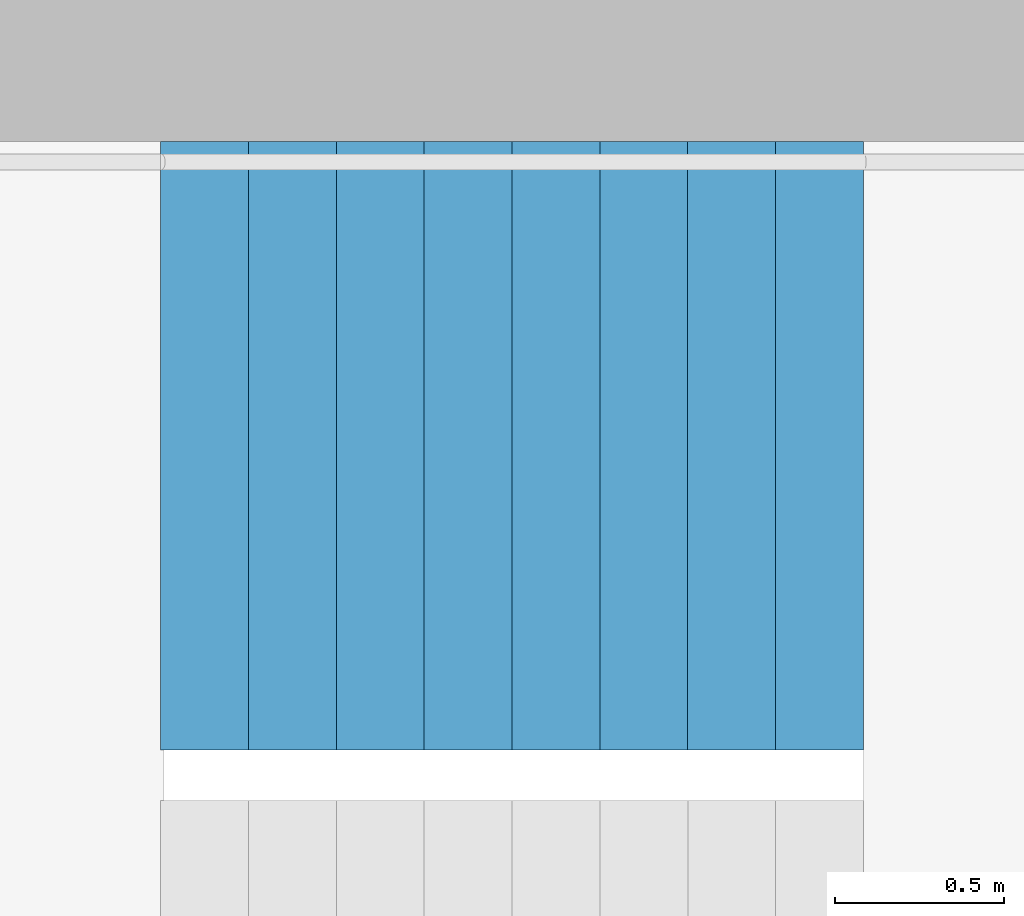
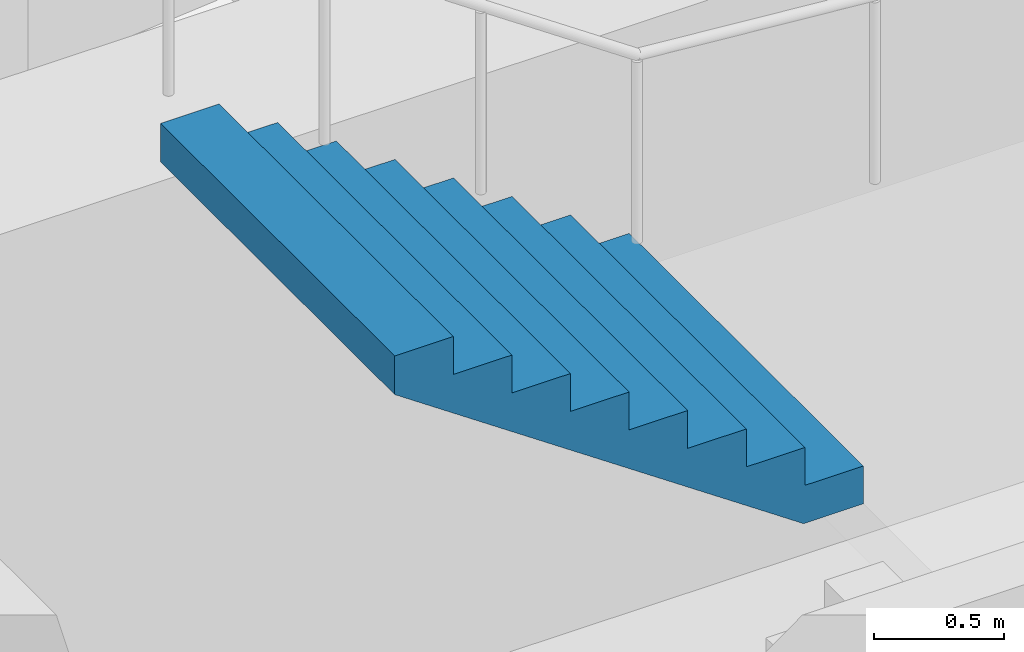
# One storey, part 20 of 29: 1 stair flight, 1 element without a shape of its own.
"""IFC4 building model written with IfcOpenShell, lengths in metres."""

from ifc_helpers import new_model, si_unit, direction, frame, origin, place, context, subcontext, project, spatial, triangles, material, type_object, element, aggregate, save


model = new_model("IFC4")

# Units and contexts
model_context = context("Model", 3, precision=1e-05, world=origin(), true_north=direction((0.0, 1.0)))
body_context = subcontext(model_context, "Body", "Model", "MODEL_VIEW")
ifc_project = project(units=[si_unit("LENGTHUNIT", "METRE"), si_unit("AREAUNIT", "SQUARE_METRE"), si_unit("VOLUMEUNIT", "CUBIC_METRE"), si_unit("PLANEANGLEUNIT", "RADIAN"), si_unit("MASSUNIT", "GRAM", prefix="KILO")], contexts=[model_context])

# Site, building, storey
site_placement = place(None, origin())
site = spatial("IfcSite", under=ifc_project, at=site_placement, CompositionType="ELEMENT")
building_placement = place(site_placement, origin())
building = spatial("IfcBuilding", under=site, at=building_placement, Name="Hakoniwa Tower and Hamabe Station Hall", CompositionType="ELEMENT")
storey_placement = place(building_placement, frame((0.0, 0.0, 258.199951171875)))
storey = spatial("IfcBuildingStorey", under=building, at=storey_placement, Name="L73", CompositionType="ELEMENT", Elevation=258.199951171875)

# Stair, stair flight
ifc_material_1 = material(Name="Concrete C40", Category="concrete")
stair_type = type_object("IfcStairType", Name="ESCAPE STAIR 1800", PredefinedType="HALF_TURN_STAIR", material=ifc_material_1)
stair_placement = place(storey_placement, origin())
stair = element("IfcStair", 1, at=stair_placement, inside=storey, type_object=stair_type, Name="Escape stair ST-1 L73", PredefinedType="HALF_TURN_STAIR")
ifc_material_2 = material(Name="Concrete C40", Category="concrete")
stair_flight_type = type_object("IfcStairFlightType", Name="STAIR FLIGHT 1800", PredefinedType="STRAIGHT", material=ifc_material_2)
stair_flight_placement = place(storey_placement, frame((-22.320068359375, 6.60009765625, 1.60009765625), z_axis=(0.0, 0.0, 1.0), x_axis=(-1.0, 0.0, 0.0)))
stair_flight = element("IfcStairFlight", 2, at=stair_flight_placement, type_object=stair_flight_type, Name="ST-1 flight 2", NumberOfRisers=9, NumberOfTreads=8, PredefinedType="STRAIGHT", RiserHeight=0.177777778, TreadLength=0.26, context=body_context, shape_type="Tessellation", body=[
    triangles([(0.0, 0.89990234375, 0.0), (0.260009765625, 0.89990234375, 0.0), (0.265625, 0.89990234375, 0.0), (0.52001953125, 0.89990234375, 0.174072265625), (0.780029296875, 0.89990234375, 0.351806640625), (1.0400390625, 0.89990234375, 0.529541015625), (1.300048828125, 0.89990234375, 0.707275390625), (1.56005859375, 0.89990234375, 0.885009765625), (1.820068359375, 0.89990234375, 1.062744140625), (2.080078125, 0.89990234375, 1.24072265625), (2.080078125, 0.89990234375, 1.422119140625), (1.820068359375, 0.89990234375, 1.422119140625), (1.820068359375, 0.89990234375, 1.244384765625), (1.56005859375, 0.89990234375, 1.244384765625), (1.56005859375, 0.89990234375, 1.066650390625), (1.300048828125, 0.89990234375, 1.066650390625), (1.300048828125, 0.89990234375, 0.888916015625), (1.0400390625, 0.89990234375, 0.888916015625), (1.0400390625, 0.89990234375, 0.711181640625), (0.780029296875, 0.89990234375, 0.711181640625), (0.780029296875, 0.89990234375, 0.533447265625), (0.52001953125, 0.89990234375, 0.533447265625), (0.52001953125, 0.89990234375, 0.35546875), (0.265625, 0.89990234375, 0.35546875), (0.260009765625, 0.89990234375, 0.35546875), (0.260009765625, 0.89990234375, 0.177734375), (0.0, 0.89990234375, 0.177734375), (0.0, 0.06005859375, 0.0), (0.260009765625, 0.06005859375, 0.0), (0.265625, 0.06005859375, 0.0), (0.52001953125, 0.06005859375, 0.174072265625), (0.780029296875, 0.06005859375, 0.351806640625), (1.0400390625, 0.06005859375, 0.529541015625), (1.300048828125, 0.06005859375, 0.707275390625), (1.56005859375, 0.06005859375, 0.885009765625), (1.820068359375, 0.06005859375, 1.062744140625), (2.080078125, 0.06005859375, 1.24072265625), (2.080078125, 0.06005859375, 1.422119140625), (1.820068359375, 0.06005859375, 1.422119140625), (1.820068359375, 0.06005859375, 1.244384765625), (1.56005859375, 0.06005859375, 1.244384765625), (1.56005859375, 0.06005859375, 1.066650390625), (1.300048828125, 0.06005859375, 1.066650390625), (1.300048828125, 0.06005859375, 0.888916015625), (1.0400390625, 0.06005859375, 0.888916015625), (1.0400390625, 0.06005859375, 0.711181640625), (0.780029296875, 0.06005859375, 0.711181640625), (0.780029296875, 0.06005859375, 0.533447265625), (0.52001953125, 0.06005859375, 0.533447265625), (0.52001953125, 0.06005859375, 0.35546875), (0.265625, 0.06005859375, 0.35546875), (0.260009765625, 0.06005859375, 0.35546875), (0.260009765625, 0.06005859375, 0.177734375), (0.0, 0.06005859375, 0.177734375), (0.0, 0.04296875, 0.0), (0.260009765625, 0.04296875, 0.0), (0.265625, 0.04296875, 0.0), (0.52001953125, 0.04296875, 0.174072265625), (0.780029296875, 0.04296875, 0.351806640625), (1.0400390625, 0.04296875, 0.529541015625), (1.300048828125, 0.04296875, 0.707275390625), (1.56005859375, 0.04296875, 0.885009765625), (1.820068359375, 0.04296875, 1.062744140625), (2.080078125, 0.04296875, 1.24072265625), (2.080078125, 0.04296875, 1.422119140625), (1.820068359375, 0.04296875, 1.422119140625), (1.820068359375, 0.04296875, 1.244384765625), (1.56005859375, 0.04296875, 1.244384765625), (1.56005859375, 0.04296875, 1.066650390625), (1.300048828125, 0.04296875, 1.066650390625), (1.300048828125, 0.04296875, 0.888916015625), (1.0400390625, 0.04296875, 0.888916015625), (1.0400390625, 0.04296875, 0.711181640625), (0.780029296875, 0.04296875, 0.711181640625), (0.780029296875, 0.04296875, 0.533447265625), (0.52001953125, 0.04296875, 0.533447265625), (0.52001953125, 0.04296875, 0.35546875), (0.265625, 0.04296875, 0.35546875), (0.260009765625, 0.04296875, 0.35546875), (0.260009765625, 0.04296875, 0.177734375), (0.0, 0.04296875, 0.177734375), (0.0, 0.025634765625, 0.0), (0.260009765625, 0.025634765625, 0.0), (0.265625, 0.025634765625, 0.0), (0.52001953125, 0.025634765625, 0.174072265625), (0.780029296875, 0.025634765625, 0.351806640625), (1.0400390625, 0.025634765625, 0.529541015625), (1.300048828125, 0.025634765625, 0.707275390625), (1.56005859375, 0.025634765625, 0.885009765625), (1.820068359375, 0.025634765625, 1.062744140625), (2.080078125, 0.025634765625, 1.24072265625), (2.080078125, 0.025634765625, 1.422119140625), (1.820068359375, 0.025634765625, 1.422119140625), (1.820068359375, 0.025634765625, 1.244384765625), (1.56005859375, 0.025634765625, 1.244384765625), (1.56005859375, 0.025634765625, 1.066650390625), (1.300048828125, 0.025634765625, 1.066650390625), (1.300048828125, 0.025634765625, 0.888916015625), (1.0400390625, 0.025634765625, 0.888916015625), (1.0400390625, 0.025634765625, 0.711181640625), (0.780029296875, 0.025634765625, 0.711181640625), (0.780029296875, 0.025634765625, 0.533447265625), (0.52001953125, 0.025634765625, 0.533447265625), (0.52001953125, 0.025634765625, 0.35546875), (0.265625, 0.025634765625, 0.35546875), (0.260009765625, 0.025634765625, 0.35546875), (0.260009765625, 0.025634765625, 0.177734375), (0.0, 0.025634765625, 0.177734375), (0.0, 0.008544921875, 0.0), (0.260009765625, 0.008544921875, 0.0), (0.265625, 0.008544921875, 0.0), (0.52001953125, 0.008544921875, 0.174072265625), (0.780029296875, 0.008544921875, 0.351806640625), (1.0400390625, 0.008544921875, 0.529541015625), (1.300048828125, 0.008544921875, 0.707275390625), (1.56005859375, 0.008544921875, 0.885009765625), (1.820068359375, 0.008544921875, 1.062744140625), (2.080078125, 0.008544921875, 1.24072265625), (2.080078125, 0.008544921875, 1.422119140625), (1.820068359375, 0.008544921875, 1.422119140625), (1.820068359375, 0.008544921875, 1.244384765625), (1.56005859375, 0.008544921875, 1.244384765625), (1.56005859375, 0.008544921875, 1.066650390625), (1.300048828125, 0.008544921875, 1.066650390625), (1.300048828125, 0.008544921875, 0.888916015625), (1.0400390625, 0.008544921875, 0.888916015625), (1.0400390625, 0.008544921875, 0.711181640625), (0.780029296875, 0.008544921875, 0.711181640625), (0.780029296875, 0.008544921875, 0.533447265625), (0.52001953125, 0.008544921875, 0.533447265625), (0.52001953125, 0.008544921875, 0.35546875), (0.265625, 0.008544921875, 0.35546875), (0.260009765625, 0.008544921875, 0.35546875), (0.260009765625, 0.008544921875, 0.177734375), (0.0, 0.008544921875, 0.177734375), (0.0, -0.008544921875, 0.0), (0.260009765625, -0.008544921875, 0.0), (0.265625, -0.008544921875, 0.0), (0.52001953125, -0.008544921875, 0.174072265625), (0.780029296875, -0.008544921875, 0.351806640625), (1.0400390625, -0.008544921875, 0.529541015625), (1.300048828125, -0.008544921875, 0.707275390625), (1.56005859375, -0.008544921875, 0.885009765625), (1.820068359375, -0.008544921875, 1.062744140625), (2.080078125, -0.008544921875, 1.24072265625), (2.080078125, -0.008544921875, 1.422119140625), (1.820068359375, -0.008544921875, 1.422119140625), (1.820068359375, -0.008544921875, 1.244384765625), (1.56005859375, -0.008544921875, 1.244384765625), (1.56005859375, -0.008544921875, 1.066650390625), (1.300048828125, -0.008544921875, 1.066650390625), (1.300048828125, -0.008544921875, 0.888916015625), (1.0400390625, -0.008544921875, 0.888916015625), (1.0400390625, -0.008544921875, 0.711181640625), (0.780029296875, -0.008544921875, 0.711181640625), (0.780029296875, -0.008544921875, 0.533447265625), (0.52001953125, -0.008544921875, 0.533447265625), (0.52001953125, -0.008544921875, 0.35546875), (0.265625, -0.008544921875, 0.35546875), (0.260009765625, -0.008544921875, 0.35546875), (0.260009765625, -0.008544921875, 0.177734375), (0.0, -0.008544921875, 0.177734375), (0.0, -0.025634765625, 0.0), (0.260009765625, -0.025634765625, 0.0), (0.265625, -0.025634765625, 0.0), (0.52001953125, -0.025634765625, 0.174072265625), (0.780029296875, -0.025634765625, 0.351806640625), (1.0400390625, -0.025634765625, 0.529541015625), (1.300048828125, -0.025634765625, 0.707275390625), (1.56005859375, -0.025634765625, 0.885009765625), (1.820068359375, -0.025634765625, 1.062744140625), (2.080078125, -0.025634765625, 1.24072265625), (2.080078125, -0.025634765625, 1.422119140625), (1.820068359375, -0.025634765625, 1.422119140625), (1.820068359375, -0.025634765625, 1.244384765625), (1.56005859375, -0.025634765625, 1.244384765625), (1.56005859375, -0.025634765625, 1.066650390625), (1.300048828125, -0.025634765625, 1.066650390625), (1.300048828125, -0.025634765625, 0.888916015625), (1.0400390625, -0.025634765625, 0.888916015625), (1.0400390625, -0.025634765625, 0.711181640625), (0.780029296875, -0.025634765625, 0.711181640625), (0.780029296875, -0.025634765625, 0.533447265625), (0.52001953125, -0.025634765625, 0.533447265625), (0.52001953125, -0.025634765625, 0.35546875), (0.265625, -0.025634765625, 0.35546875), (0.260009765625, -0.025634765625, 0.35546875), (0.260009765625, -0.025634765625, 0.177734375), (0.0, -0.025634765625, 0.177734375), (0.0, -0.04296875, 0.0), (0.260009765625, -0.04296875, 0.0), (0.265625, -0.04296875, 0.0), (0.52001953125, -0.04296875, 0.174072265625), (0.780029296875, -0.04296875, 0.351806640625), (1.0400390625, -0.04296875, 0.529541015625), (1.300048828125, -0.04296875, 0.707275390625), (1.56005859375, -0.04296875, 0.885009765625), (1.820068359375, -0.04296875, 1.062744140625), (2.080078125, -0.04296875, 1.24072265625), (2.080078125, -0.04296875, 1.422119140625), (1.820068359375, -0.04296875, 1.422119140625), (1.820068359375, -0.04296875, 1.244384765625), (1.56005859375, -0.04296875, 1.244384765625), (1.56005859375, -0.04296875, 1.066650390625), (1.300048828125, -0.04296875, 1.066650390625), (1.300048828125, -0.04296875, 0.888916015625), (1.0400390625, -0.04296875, 0.888916015625), (1.0400390625, -0.04296875, 0.711181640625), (0.780029296875, -0.04296875, 0.711181640625), (0.780029296875, -0.04296875, 0.533447265625), (0.52001953125, -0.04296875, 0.533447265625), (0.52001953125, -0.04296875, 0.35546875), (0.265625, -0.04296875, 0.35546875), (0.260009765625, -0.04296875, 0.35546875), (0.260009765625, -0.04296875, 0.177734375), (0.0, -0.04296875, 0.177734375), (0.0, -0.06005859375, 0.0), (0.260009765625, -0.06005859375, 0.0), (0.265625, -0.06005859375, 0.0), (0.52001953125, -0.06005859375, 0.174072265625), (0.780029296875, -0.06005859375, 0.351806640625), (1.0400390625, -0.06005859375, 0.529541015625), (1.300048828125, -0.06005859375, 0.707275390625), (1.56005859375, -0.06005859375, 0.885009765625), (1.820068359375, -0.06005859375, 1.062744140625), (2.080078125, -0.06005859375, 1.24072265625), (2.080078125, -0.06005859375, 1.422119140625), (1.820068359375, -0.06005859375, 1.422119140625), (1.820068359375, -0.06005859375, 1.244384765625), (1.56005859375, -0.06005859375, 1.244384765625), (1.56005859375, -0.06005859375, 1.066650390625), (1.300048828125, -0.06005859375, 1.066650390625), (1.300048828125, -0.06005859375, 0.888916015625), (1.0400390625, -0.06005859375, 0.888916015625), (1.0400390625, -0.06005859375, 0.711181640625), (0.780029296875, -0.06005859375, 0.711181640625), (0.780029296875, -0.06005859375, 0.533447265625), (0.52001953125, -0.06005859375, 0.533447265625), (0.52001953125, -0.06005859375, 0.35546875), (0.265625, -0.06005859375, 0.35546875), (0.260009765625, -0.06005859375, 0.35546875), (0.260009765625, -0.06005859375, 0.177734375), (0.0, -0.06005859375, 0.177734375), (0.0, -0.89990234375, 0.0), (0.260009765625, -0.89990234375, 0.0), (0.265625, -0.89990234375, 0.0), (0.52001953125, -0.89990234375, 0.174072265625), (0.780029296875, -0.89990234375, 0.351806640625), (1.0400390625, -0.89990234375, 0.529541015625), (1.300048828125, -0.89990234375, 0.707275390625), (1.56005859375, -0.89990234375, 0.885009765625), (1.820068359375, -0.89990234375, 1.062744140625), (2.080078125, -0.89990234375, 1.24072265625), (2.080078125, -0.89990234375, 1.422119140625), (1.820068359375, -0.89990234375, 1.422119140625), (1.820068359375, -0.89990234375, 1.244384765625), (1.56005859375, -0.89990234375, 1.244384765625), (1.56005859375, -0.89990234375, 1.066650390625), (1.300048828125, -0.89990234375, 1.066650390625), (1.300048828125, -0.89990234375, 0.888916015625), (1.0400390625, -0.89990234375, 0.888916015625), (1.0400390625, -0.89990234375, 0.711181640625), (0.780029296875, -0.89990234375, 0.711181640625), (0.780029296875, -0.89990234375, 0.533447265625), (0.52001953125, -0.89990234375, 0.533447265625), (0.52001953125, -0.89990234375, 0.35546875), (0.265625, -0.89990234375, 0.35546875), (0.260009765625, -0.89990234375, 0.35546875), (0.260009765625, -0.89990234375, 0.177734375), (0.0, -0.89990234375, 0.177734375)], [[2, 27, 26], [245, 269, 270], [2, 1, 27], [245, 270, 244], [3, 25, 24], [246, 267, 268], [3, 26, 25], [246, 268, 269], [3, 2, 26], [246, 269, 245], [4, 24, 23], [247, 266, 267], [4, 3, 24], [247, 267, 246], [5, 22, 21], [248, 264, 265], [5, 23, 22], [248, 265, 266], [5, 4, 23], [248, 266, 247], [6, 20, 19], [249, 262, 263], [6, 21, 20], [249, 263, 264], [6, 5, 21], [249, 264, 248], [7, 18, 17], [250, 260, 261], [7, 19, 18], [250, 261, 262], [7, 6, 19], [250, 262, 249], [8, 16, 15], [251, 258, 259], [8, 17, 16], [251, 259, 260], [8, 7, 17], [251, 260, 250], [9, 14, 13], [252, 256, 257], [9, 15, 14], [252, 257, 258], [9, 8, 15], [252, 258, 251], [10, 12, 11], [253, 254, 255], [10, 13, 12], [253, 255, 256], [10, 9, 13], [253, 256, 252], [1, 2, 29], [1, 29, 28], [28, 29, 56], [28, 56, 55], [55, 56, 83], [55, 83, 82], [82, 83, 110], [82, 110, 109], [109, 110, 137], [109, 137, 136], [136, 137, 164], [136, 164, 163], [163, 164, 191], [163, 191, 190], [190, 191, 218], [190, 218, 217], [217, 218, 245], [217, 245, 244], [2, 3, 30], [2, 30, 29], [29, 30, 57], [29, 57, 56], [56, 57, 84], [56, 84, 83], [83, 84, 111], [83, 111, 110], [110, 111, 138], [110, 138, 137], [137, 138, 165], [137, 165, 164], [164, 165, 192], [164, 192, 191], [191, 192, 219], [191, 219, 218], [218, 219, 246], [218, 246, 245], [3, 4, 31], [3, 31, 30], [30, 31, 58], [30, 58, 57], [57, 58, 85], [57, 85, 84], [84, 85, 112], [84, 112, 111], [111, 112, 139], [111, 139, 138], [138, 139, 166], [138, 166, 165], [165, 166, 193], [165, 193, 192], [192, 193, 220], [192, 220, 219], [219, 220, 247], [219, 247, 246], [4, 5, 32], [4, 32, 31], [31, 32, 59], [31, 59, 58], [58, 59, 86], [58, 86, 85], [85, 86, 113], [85, 113, 112], [112, 113, 140], [112, 140, 139], [139, 140, 167], [139, 167, 166], [166, 167, 194], [166, 194, 193], [193, 194, 221], [193, 221, 220], [220, 221, 248], [220, 248, 247], [5, 6, 33], [5, 33, 32], [32, 33, 60], [32, 60, 59], [59, 60, 87], [59, 87, 86], [86, 87, 114], [86, 114, 113], [113, 114, 141], [113, 141, 140], [140, 141, 168], [140, 168, 167], [167, 168, 195], [167, 195, 194], [194, 195, 222], [194, 222, 221], [221, 222, 249], [221, 249, 248], [6, 7, 34], [6, 34, 33], [33, 34, 61], [33, 61, 60], [60, 61, 88], [60, 88, 87], [87, 88, 115], [87, 115, 114], [114, 115, 142], [114, 142, 141], [141, 142, 169], [141, 169, 168], [168, 169, 196], [168, 196, 195], [195, 196, 223], [195, 223, 222], [222, 223, 250], [222, 250, 249], [7, 8, 35], [7, 35, 34], [34, 35, 62], [34, 62, 61], [61, 62, 89], [61, 89, 88], [88, 89, 116], [88, 116, 115], [115, 116, 143], [115, 143, 142], [142, 143, 170], [142, 170, 169], [169, 170, 197], [169, 197, 196], [196, 197, 224], [196, 224, 223], [223, 224, 251], [223, 251, 250], [8, 9, 36], [8, 36, 35], [35, 36, 63], [35, 63, 62], [62, 63, 90], [62, 90, 89], [89, 90, 117], [89, 117, 116], [116, 117, 144], [116, 144, 143], [143, 144, 171], [143, 171, 170], [170, 171, 198], [170, 198, 197], [197, 198, 225], [197, 225, 224], [224, 225, 252], [224, 252, 251], [9, 10, 37], [9, 37, 36], [36, 37, 64], [36, 64, 63], [63, 64, 91], [63, 91, 90], [90, 91, 118], [90, 118, 117], [117, 118, 145], [117, 145, 144], [144, 145, 172], [144, 172, 171], [171, 172, 199], [171, 199, 198], [198, 199, 226], [198, 226, 225], [225, 226, 253], [225, 253, 252], [10, 11, 38], [10, 38, 37], [37, 38, 65], [37, 65, 64], [64, 65, 92], [64, 92, 91], [91, 92, 119], [91, 119, 118], [118, 119, 146], [118, 146, 145], [145, 146, 173], [145, 173, 172], [172, 173, 200], [172, 200, 199], [199, 200, 227], [199, 227, 226], [226, 227, 254], [226, 254, 253], [11, 12, 39], [11, 39, 38], [38, 39, 66], [38, 66, 65], [65, 66, 93], [65, 93, 92], [92, 93, 120], [92, 120, 119], [119, 120, 147], [119, 147, 146], [146, 147, 174], [146, 174, 173], [173, 174, 201], [173, 201, 200], [200, 201, 228], [200, 228, 227], [227, 228, 255], [227, 255, 254], [12, 13, 40], [12, 40, 39], [39, 40, 67], [39, 67, 66], [66, 67, 94], [66, 94, 93], [93, 94, 121], [93, 121, 120], [120, 121, 148], [120, 148, 147], [147, 148, 175], [147, 175, 174], [174, 175, 202], [174, 202, 201], [201, 202, 229], [201, 229, 228], [228, 229, 256], [228, 256, 255], [13, 14, 41], [13, 41, 40], [40, 41, 68], [40, 68, 67], [67, 68, 95], [67, 95, 94], [94, 95, 122], [94, 122, 121], [121, 122, 149], [121, 149, 148], [148, 149, 176], [148, 176, 175], [175, 176, 203], [175, 203, 202], [202, 203, 230], [202, 230, 229], [229, 230, 257], [229, 257, 256], [14, 15, 42], [14, 42, 41], [41, 42, 69], [41, 69, 68], [68, 69, 96], [68, 96, 95], [95, 96, 123], [95, 123, 122], [122, 123, 150], [122, 150, 149], [149, 150, 177], [149, 177, 176], [176, 177, 204], [176, 204, 203], [203, 204, 231], [203, 231, 230], [230, 231, 258], [230, 258, 257], [15, 16, 43], [15, 43, 42], [42, 43, 70], [42, 70, 69], [69, 70, 97], [69, 97, 96], [96, 97, 124], [96, 124, 123], [123, 124, 151], [123, 151, 150], [150, 151, 178], [150, 178, 177], [177, 178, 205], [177, 205, 204], [204, 205, 232], [204, 232, 231], [231, 232, 259], [231, 259, 258], [16, 17, 44], [16, 44, 43], [43, 44, 71], [43, 71, 70], [70, 71, 98], [70, 98, 97], [97, 98, 125], [97, 125, 124], [124, 125, 152], [124, 152, 151], [151, 152, 179], [151, 179, 178], [178, 179, 206], [178, 206, 205], [205, 206, 233], [205, 233, 232], [232, 233, 260], [232, 260, 259], [17, 18, 45], [17, 45, 44], [44, 45, 72], [44, 72, 71], [71, 72, 99], [71, 99, 98], [98, 99, 126], [98, 126, 125], [125, 126, 153], [125, 153, 152], [152, 153, 180], [152, 180, 179], [179, 180, 207], [179, 207, 206], [206, 207, 234], [206, 234, 233], [233, 234, 261], [233, 261, 260], [18, 19, 46], [18, 46, 45], [45, 46, 73], [45, 73, 72], [72, 73, 100], [72, 100, 99], [99, 100, 127], [99, 127, 126], [126, 127, 154], [126, 154, 153], [153, 154, 181], [153, 181, 180], [180, 181, 208], [180, 208, 207], [207, 208, 235], [207, 235, 234], [234, 235, 262], [234, 262, 261], [19, 20, 47], [19, 47, 46], [46, 47, 74], [46, 74, 73], [73, 74, 101], [73, 101, 100], [100, 101, 128], [100, 128, 127], [127, 128, 155], [127, 155, 154], [154, 155, 182], [154, 182, 181], [181, 182, 209], [181, 209, 208], [208, 209, 236], [208, 236, 235], [235, 236, 263], [235, 263, 262], [20, 21, 48], [20, 48, 47], [47, 48, 75], [47, 75, 74], [74, 75, 102], [74, 102, 101], [101, 102, 129], [101, 129, 128], [128, 129, 156], [128, 156, 155], [155, 156, 183], [155, 183, 182], [182, 183, 210], [182, 210, 209], [209, 210, 237], [209, 237, 236], [236, 237, 264], [236, 264, 263], [21, 22, 49], [21, 49, 48], [48, 49, 76], [48, 76, 75], [75, 76, 103], [75, 103, 102], [102, 103, 130], [102, 130, 129], [129, 130, 157], [129, 157, 156], [156, 157, 184], [156, 184, 183], [183, 184, 211], [183, 211, 210], [210, 211, 238], [210, 238, 237], [237, 238, 265], [237, 265, 264], [22, 23, 50], [22, 50, 49], [49, 50, 77], [49, 77, 76], [76, 77, 104], [76, 104, 103], [103, 104, 131], [103, 131, 130], [130, 131, 158], [130, 158, 157], [157, 158, 185], [157, 185, 184], [184, 185, 212], [184, 212, 211], [211, 212, 239], [211, 239, 238], [238, 239, 266], [238, 266, 265], [23, 24, 51], [23, 51, 50], [50, 51, 78], [50, 78, 77], [77, 78, 105], [77, 105, 104], [104, 105, 132], [104, 132, 131], [131, 132, 159], [131, 159, 158], [158, 159, 186], [158, 186, 185], [185, 186, 213], [185, 213, 212], [212, 213, 240], [212, 240, 239], [239, 240, 267], [239, 267, 266], [24, 25, 52], [24, 52, 51], [51, 52, 79], [51, 79, 78], [78, 79, 106], [78, 106, 105], [105, 106, 133], [105, 133, 132], [132, 133, 160], [132, 160, 159], [159, 160, 187], [159, 187, 186], [186, 187, 214], [186, 214, 213], [213, 214, 241], [213, 241, 240], [240, 241, 268], [240, 268, 267], [25, 26, 53], [25, 53, 52], [52, 53, 80], [52, 80, 79], [79, 80, 107], [79, 107, 106], [106, 107, 134], [106, 134, 133], [133, 134, 161], [133, 161, 160], [160, 161, 188], [160, 188, 187], [187, 188, 215], [187, 215, 214], [214, 215, 242], [214, 242, 241], [241, 242, 269], [241, 269, 268], [26, 27, 54], [26, 54, 53], [53, 54, 81], [53, 81, 80], [80, 81, 108], [80, 108, 107], [107, 108, 135], [107, 135, 134], [134, 135, 162], [134, 162, 161], [161, 162, 189], [161, 189, 188], [188, 189, 216], [188, 216, 215], [215, 216, 243], [215, 243, 242], [242, 243, 270], [242, 270, 269], [27, 1, 28], [27, 28, 54], [54, 28, 55], [54, 55, 81], [81, 55, 82], [81, 82, 108], [108, 82, 109], [108, 109, 135], [135, 109, 136], [135, 136, 162], [162, 136, 163], [162, 163, 189], [189, 163, 190], [189, 190, 216], [216, 190, 217], [216, 217, 243], [243, 217, 244], [243, 244, 270]], closed=True),
])
aggregate(stair, [stair_flight])

save(model, "model.ifc")
